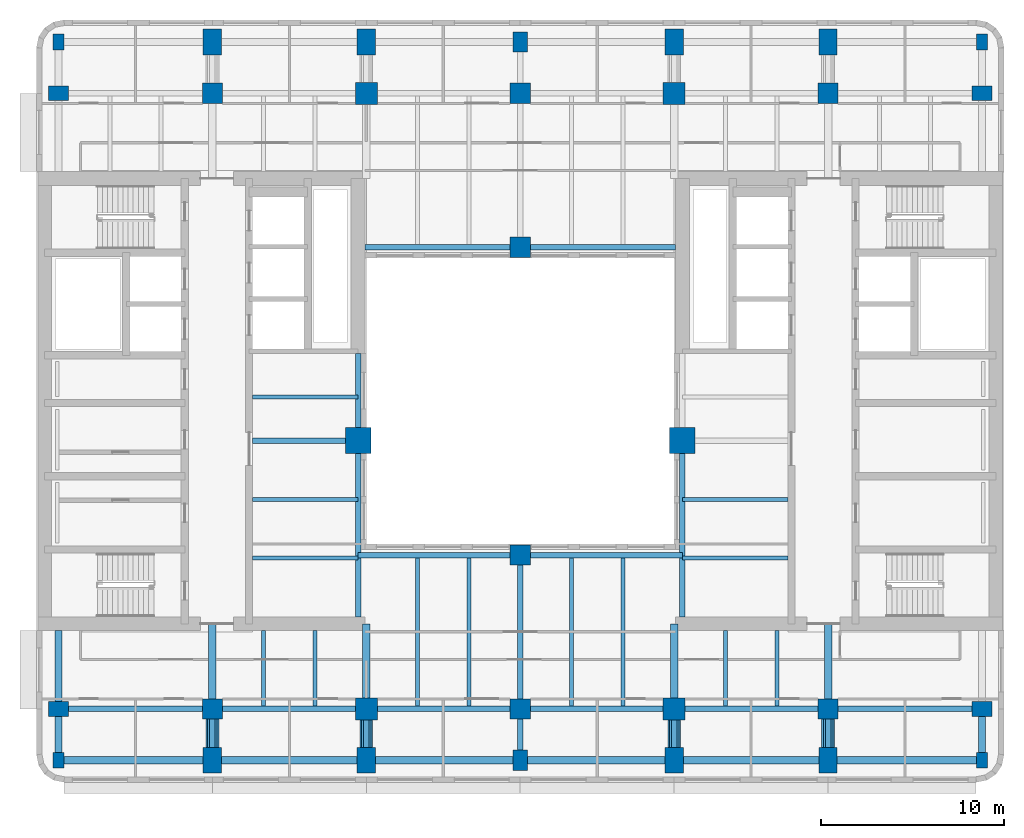
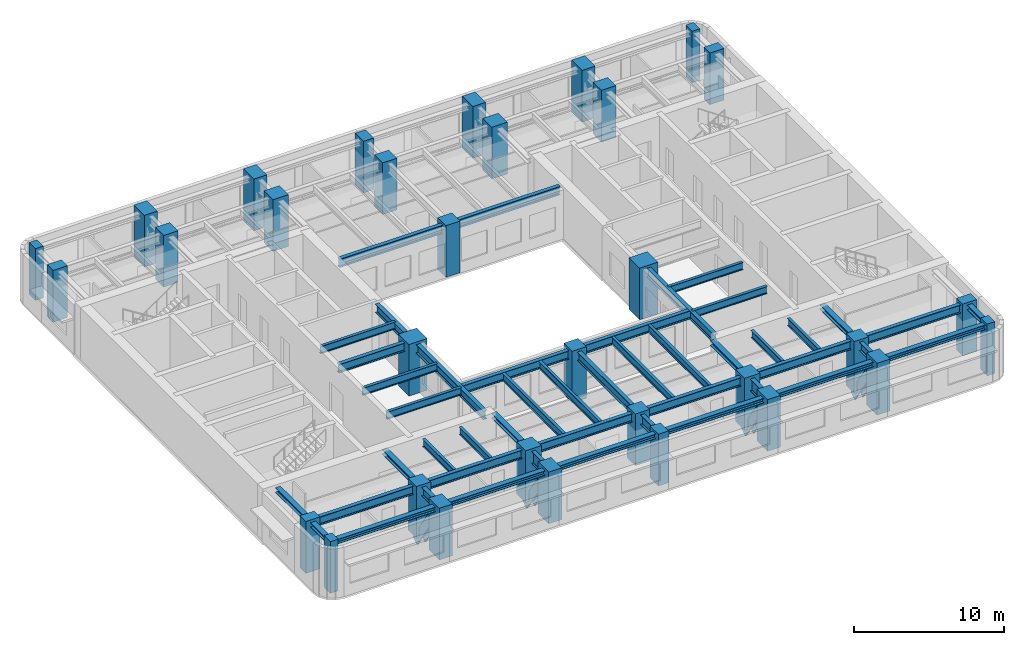
# One storey, part 1 of 11: 46 beams, 32 columns, 4 members.
"""IFC4 building model written with IfcOpenShell, lengths in metres."""

import ifcopenshell
import ifcopenshell.guid

model = None  # the IFC model being written
_history = None  # IfcOwnerHistory: only IFC2X3 demands one
_inside = {}  # id of a spatial element -> (the spatial element, [elements in it])
_under = {}  # id of a project, library or spatial element -> (it, [spatial elements below it])
_declared = {}  # id of a project -> (the project, [libraries it declares])
_typed = {}  # id of a type object -> (the type object, [elements of that type])
_made_of = {}  # id of a material, layer set ... -> (it, [elements and type objects made of it])


def new_model(schema):
    """Start an empty IFC model of exactly this schema.

    Asked for "IFC4X3", IfcOpenShell would pick the latest addendum, in which some entities
    have other attributes; the version numbers below select the first issue.
    IFC2X3 requires an IfcOwnerHistory on every rooted entity: one is made here for all.
    """
    global model, _history
    if schema == "IFC4X3":
        model = ifcopenshell.file(schema_version=(4, 3, 0, 0))
    else:
        model = ifcopenshell.file(schema=schema)
    _inside.clear()
    _under.clear()
    _declared.clear()
    _typed.clear()
    _made_of.clear()
    _history = None
    if model.schema == "IFC2X3":
        org = make("IfcOrganization", Name="unknown")
        user = make(
            "IfcPersonAndOrganization",
            ThePerson=make("IfcPerson", FamilyName="unknown"),
            TheOrganization=org,
        )
        app = make(
            "IfcApplication",
            ApplicationDeveloper=org,
            Version="unknown",
            ApplicationFullName="unknown",
            ApplicationIdentifier="unknown",
        )
        _history = make(
            "IfcOwnerHistory",
            OwningUser=user,
            OwningApplication=app,
            ChangeAction="ADDED",
            CreationDate=0,
        )
    return model


def make(cls, **values):
    """One entity of the class cls with the attributes given. An attribute that is None is left unset."""
    return model.create_entity(
        cls, **{name: value for name, value in values.items() if value is not None}
    )


def rooted(cls, **values):
    """An entity with a GlobalId (a new one), such as an element, a storey or a relation."""
    return make(cls, GlobalId=ifcopenshell.guid.new(), OwnerHistory=_history, **values)


def si_unit(unit_type, name, prefix=None):
    """IfcSIUnit, for example si_unit("LENGTHUNIT", "METRE", prefix="MILLI")."""
    return make("IfcSIUnit", UnitType=unit_type, Prefix=prefix, Name=name)


def assignment(units):
    """IfcUnitAssignment: the units of a project."""
    return None if units is None else make("IfcUnitAssignment", Units=units)


def point(xyz):
    """IfcCartesianPoint."""
    return None if xyz is None else make("IfcCartesianPoint", Coordinates=xyz)


def direction(xyz):
    """IfcDirection."""
    return None if xyz is None else make("IfcDirection", DirectionRatios=xyz)


def frame(location, z_axis=None, x_axis=None):
    """IfcAxis2Placement3D, a coordinate frame: its origin and axes. An axis left out is left unset."""
    return make(
        "IfcAxis2Placement3D",
        Location=point(location),
        Axis=direction(z_axis),
        RefDirection=direction(x_axis),
    )


def frame_2d(location, x_axis=None):
    """IfcAxis2Placement2D, a coordinate frame in the plane: its origin and x axis."""
    return make(
        "IfcAxis2Placement2D", Location=point(location), RefDirection=direction(x_axis)
    )


def origin():
    """The frame at (0, 0, 0) with its axes left unset."""
    return frame((0.0, 0.0, 0.0))


def origin_2d():
    """The frame at (0, 0) in the plane with its x axis left unset."""
    return frame_2d((0.0, 0.0))


def place(relative_to, where):
    """IfcLocalPlacement: puts the frame where relative to a parent placement (None: the world)."""
    return make(
        "IfcLocalPlacement", PlacementRelTo=relative_to, RelativePlacement=where
    )


def context(
    kind, dimensions, precision=None, world=None, true_north=None, identifier=None
):
    """IfcGeometricRepresentationContext, for example the 3D "Model" context."""
    return make(
        "IfcGeometricRepresentationContext",
        ContextIdentifier=identifier,
        ContextType=kind,
        CoordinateSpaceDimension=dimensions,
        Precision=precision,
        WorldCoordinateSystem=world,
        TrueNorth=true_north,
    )


def subcontext(parent, identifier, kind, view, scale=None):
    """IfcGeometricRepresentationSubContext, for example "Body" below "Model"."""
    return make(
        "IfcGeometricRepresentationSubContext",
        ContextIdentifier=identifier,
        ContextType=kind,
        ParentContext=parent,
        TargetScale=scale,
        TargetView=view,
    )


def project(units=None, contexts=None):
    """IfcProject with its units and contexts."""
    return rooted(
        "IfcProject",
        Name="project",
        RepresentationContexts=contexts,
        UnitsInContext=assignment(units),
    )


def spatial(cls, under=None, at=None, **own):
    """A site, building, storey or space (cls), placed at a placement, below another one or the project."""
    s = rooted(cls, ObjectPlacement=at, **own)
    if under is not None:
        _under.setdefault(under.id(), (under, []))[1].append(s)
    return s


def profile(cls, at=None, kind="AREA", **sizes):
    """A parametric profile (cls). Its sizes go by their IFC names, for example OverallWidth=200.0."""
    return make(cls, ProfileType=kind, Position=at, **sizes)


def rectangle(**sizes):
    """IfcRectangleProfileDef."""
    return profile("IfcRectangleProfileDef", **sizes)


def i_section(**sizes):
    """IfcIShapeProfileDef."""
    return profile("IfcIShapeProfileDef", **sizes)


def extrude(swept, where, along, depth):
    """IfcExtrudedAreaSolid: the profile swept, set in the frame where, extruded along a direction by depth."""
    return make(
        "IfcExtrudedAreaSolid",
        SweptArea=swept,
        Position=where,
        ExtrudedDirection=direction(along),
        Depth=depth,
    )


def shape(context_of_items, identifier, shape_type, items):
    """IfcShapeRepresentation: the items that make up one representation, for example the "Body"."""
    return make(
        "IfcShapeRepresentation",
        ContextOfItems=context_of_items,
        RepresentationIdentifier=identifier,
        RepresentationType=shape_type,
        Items=items,
    )


def material(Name=None, Category=None):
    """IfcMaterial."""
    return make("IfcMaterial", Name=Name, Category=Category)


def material_profile(
    of_material, cross_section, Name=None, Category=None, Priority=None
):
    """IfcMaterialProfile: a cross section and its material."""
    return make(
        "IfcMaterialProfile",
        Name=Name,
        Material=of_material,
        Profile=cross_section,
        Priority=Priority,
        Category=Category,
    )


def profile_set(profiles, Name=None, composite=None):
    """IfcMaterialProfileSet."""
    return make(
        "IfcMaterialProfileSet",
        Name=Name,
        MaterialProfiles=profiles,
        CompositeProfile=composite,
    )


def made_of(thing, what):
    """Note that an element or type object is made of a material, layer set ...; save() writes the relation."""
    if what is not None:
        _made_of.setdefault(what.id(), (what, []))[1].append(thing)
    return thing


def type_object(cls, material=None, **own):
    """A type object (cls), such as IfcWallType, which elements share."""
    return made_of(rooted(cls, **own), material)


def element(
    cls,
    number,
    at=None,
    inside=None,
    cuts=None,
    type_object=None,
    material=None,
    context=None,
    identifier="Body",
    shape_type=None,
    held_by="IfcProductDefinitionShape",
    body=None,
    shapes=None,
    **own,
):
    """One element of the class cls, such as IfcWall. Its Tag is "e" and its number.

    at: its placement. inside: the storey or other place that contains it. cuts: it is an
    opening in that element (IfcRelVoidsElement). A single representation is given by context,
    identifier, shape_type and body (its items); several are given by shapes. held_by: the class
    of the entity that holds the representations. save() writes the other relations.
    """
    e = rooted(cls, Tag="e%d" % number, ObjectPlacement=at, **own)
    if body is not None:
        shapes = [shape(context, identifier, shape_type, body)]
    if shapes is not None:
        e.Representation = make(held_by, Representations=shapes)
    if inside is not None:
        _inside.setdefault(inside.id(), (inside, []))[1].append(e)
    if cuts is not None:
        rooted(
            "IfcRelVoidsElement", RelatingBuildingElement=cuts, RelatedOpeningElement=e
        )
    if type_object is not None:
        _typed.setdefault(type_object.id(), (type_object, []))[1].append(e)
    return made_of(e, material)


def aggregate(whole, parts):
    """IfcRelAggregates: a whole, such as a stair, and the parts it consists of."""
    return rooted("IfcRelAggregates", RelatingObject=whole, RelatedObjects=parts)


def save(model, path):
    """Write the relations noted so far, then the file.

    IfcRelAggregates (storeys below a building ...), IfcRelContainedInSpatialStructure (elements
    in a storey), IfcRelDefinesByType, IfcRelAssociatesMaterial and IfcRelDeclares: one each for
    every whole, place, type object, material and project.
    """
    for whole, parts in _under.values():
        aggregate(whole, parts)
    for where, things in _inside.values():
        rooted(
            "IfcRelContainedInSpatialStructure",
            RelatedElements=things,
            RelatingStructure=where,
        )
    for kind, things in _typed.values():
        rooted("IfcRelDefinesByType", RelatedObjects=things, RelatingType=kind)
    for what, things in _made_of.values():
        rooted("IfcRelAssociatesMaterial", RelatedObjects=things, RelatingMaterial=what)
    for by, libraries in _declared.values():
        rooted("IfcRelDeclares", RelatingContext=by, RelatedDefinitions=libraries)
    model.write(path)


model = new_model("IFC4")

# Units and contexts
model_context = context("Model", 3, precision=1e-05, world=origin(), true_north=direction((0.0, 1.0)))
body_context = subcontext(model_context, "Body", "Model", "MODEL_VIEW")
ifc_project = project(units=[si_unit("LENGTHUNIT", "METRE"), si_unit("AREAUNIT", "SQUARE_METRE"), si_unit("VOLUMEUNIT", "CUBIC_METRE"), si_unit("PLANEANGLEUNIT", "RADIAN"), si_unit("MASSUNIT", "GRAM", prefix="KILO")], contexts=[model_context])

# Site, building, storey
site_placement = place(None, origin())
site = spatial("IfcSite", under=ifc_project, at=site_placement, CompositionType="ELEMENT")
building_placement = place(site_placement, origin())
building = spatial("IfcBuilding", under=site, at=building_placement, Name="Claustro Exchange Tower", CompositionType="ELEMENT")
storey_placement = place(building_placement, frame((0.0, 0.0, 240.60009765625)))
storey = spatial("IfcBuildingStorey", under=building, at=storey_placement, Name="L55", CompositionType="ELEMENT", Elevation=240.60009765625)

# Columns
ifc_material_1 = material(Name="Concrete HA-70 (C70/85)", Category="concrete")
ifc_material_profile_1 = material_profile(ifc_material_1, rectangle(XDim=1.39990234375, YDim=1.39990234375, at=origin_2d()), Name="RC 1400x1400")
ifc_profile_set_1 = profile_set([ifc_material_profile_1], Name="Concrete HA-70 (C70/85)")
column_type_1 = type_object("IfcColumnType", Name="C0 RC 1400x1400 HA-70 column", PredefinedType="COLUMN", material=ifc_profile_set_1)
for number, where, z_axis, x_axis, name in (
    (1, (16.35009765625, 23.050048828125, 0.0), (0.0, 0.0, 1.0), (1.0, 0.0, 0.0), "Column C0 2+7950/C+6250 L55"),
    (2, (34.050048828125, 23.050048828125, 0.0), (0.0, 0.0, 1.0), (1.0, 0.0, 0.0), "Column C0 5+450/C+6250 L55"),
):
    element("IfcColumn", number, at=place(storey_placement, frame(where, z_axis=z_axis, x_axis=x_axis)), inside=storey, type_object=column_type_1, Name=name, PredefinedType="COLUMN", context=body_context, shape_type="SweptSolid", body=[
        extrude(rectangle(XDim=1.39990234375, YDim=1.39990234375, at=origin_2d()), origin(), (0.0, 0.0, 1.0), 4.199951171875),
    ])
ifc_material_2 = material(Name="Concrete HA-70 (C70/85)", Category="concrete")
ifc_material_profile_2 = material_profile(ifc_material_2, rectangle(XDim=1.199951171875, YDim=1.199951171875, at=origin_2d()), Name="RC 1200x1200")
ifc_profile_set_2 = profile_set([ifc_material_profile_2], Name="Concrete HA-70 (C70/85)")
column_type_2 = type_object("IfcColumnType", Name="C1 RC 1200x1200 HA-70 column", PredefinedType="COLUMN", material=ifc_profile_set_2)
for number, where, z_axis, x_axis, name in (
    (3, (16.800048828125, 8.39990234375, 0.0), (0.0, 0.0, 1.0), (1.0, 0.0, 0.0), "Column C1 3/B L55"),
    (4, (16.800048828125, 42.0, 0.0), (0.0, 0.0, 1.0), (1.0, 0.0, 0.0), "Column C1 3/F L55"),
    (5, (33.60009765625, 8.39990234375, 0.0), (0.0, 0.0, 1.0), (1.0, 0.0, 0.0), "Column C1 5/B L55"),
    (6, (33.60009765625, 42.0, 0.0), (0.0, 0.0, 1.0), (1.0, 0.0, 0.0), "Column C1 5/F L55"),
):
    element("IfcColumn", number, at=place(storey_placement, frame(where, z_axis=z_axis, x_axis=x_axis)), inside=storey, type_object=column_type_2, Name=name, PredefinedType="COLUMN", context=body_context, shape_type="SweptSolid", body=[
        extrude(rectangle(XDim=1.199951171875, YDim=1.199951171875, at=origin_2d()), origin(), (0.0, 0.0, 1.0), 4.199951171875),
    ])
ifc_material_3 = material(Name="Concrete HA-70 (C70/85)", Category="concrete")
ifc_material_profile_3 = material_profile(ifc_material_3, rectangle(XDim=1.10009765625, YDim=1.10009765625, at=origin_2d()), Name="RC 1100x1100")
ifc_profile_set_3 = profile_set([ifc_material_profile_3], Name="Concrete HA-70 (C70/85)")
column_type_3 = type_object("IfcColumnType", Name="C17 RC 1100x1100 HA-70 column", PredefinedType="COLUMN", material=ifc_profile_set_3)
for number, where, z_axis, x_axis, name in (
    (7, (8.39990234375, 8.39990234375, 0.0), (0.0, 0.0, 1.0), (1.0, 0.0, 0.0), "Column C17 2/B L55"),
    (8, (8.39990234375, 42.0, 0.0), (0.0, 0.0, 1.0), (1.0, 0.0, 0.0), "Column C17 2/F L55"),
    (9, (25.199951171875, 8.39990234375, 0.0), (0.0, 0.0, 1.0), (1.0, 0.0, 0.0), "Column C17 4/B L55"),
    (10, (25.199951171875, 42.0, 0.0), (0.0, 0.0, 1.0), (1.0, 0.0, 0.0), "Column C17 4/F L55"),
    (11, (25.199951171875, 16.800048828125, 0.0), (0.0, 0.0, 1.0), (1.0, 0.0, 0.0), "Column C17 4/C L55"),
    (12, (25.199951171875, 33.60009765625, 0.0), (0.0, 0.0, 1.0), (1.0, 0.0, 0.0), "Column C17 4/E L55"),
    (13, (42.0, 8.39990234375, 0.0), (0.0, 0.0, 1.0), (1.0, 0.0, 0.0), "Column C17 6/B L55"),
    (14, (42.0, 42.0, 0.0), (0.0, 0.0, 1.0), (1.0, 0.0, 0.0), "Column C17 6/F L55"),
):
    element("IfcColumn", number, at=place(storey_placement, frame(where, z_axis=z_axis, x_axis=x_axis)), inside=storey, type_object=column_type_3, Name=name, PredefinedType="COLUMN", context=body_context, shape_type="SweptSolid", body=[
        extrude(rectangle(XDim=1.10009765625, YDim=1.10009765625, at=origin_2d()), origin(), (0.0, 0.0, 1.0), 4.199951171875),
    ])
ifc_material_4 = material(Name="Concrete HA-70 (C70/85)", Category="concrete")
ifc_material_profile_4 = material_profile(ifc_material_4, rectangle(XDim=1.0, YDim=1.39990234375, at=origin_2d()), Name="RC 1000x1400")
ifc_profile_set_4 = profile_set([ifc_material_profile_4], Name="Concrete HA-70 (C70/85)")
column_type_4 = type_object("IfcColumnType", Name="C22 RC 1000x1400 HA-70 perimeter column", PredefinedType="COLUMN", material=ifc_profile_set_4)
for number, where, z_axis, x_axis, name in (
    (15, (8.39990234375, 5.60009765625, 0.0), (0.0, 0.0, 1.0), (1.0, 0.0, 0.0), "Column C22 2/A+5600 L55"),
    (16, (8.39990234375, 44.800048828125, 0.0), (0.0, 0.0, 1.0), (1.0, 0.0, 0.0), "Column C22 2/F+2800 L55"),
    (17, (16.800048828125, 5.60009765625, 0.0), (0.0, 0.0, 1.0), (1.0, 0.0, 0.0), "Column C22 3/A+5600 L55"),
    (18, (16.800048828125, 44.800048828125, 0.0), (0.0, 0.0, 1.0), (1.0, 0.0, 0.0), "Column C22 3/F+2800 L55"),
    (19, (33.60009765625, 5.60009765625, 0.0), (0.0, 0.0, 1.0), (1.0, 0.0, 0.0), "Column C22 5/A+5600 L55"),
    (20, (33.60009765625, 44.800048828125, 0.0), (0.0, 0.0, 1.0), (1.0, 0.0, 0.0), "Column C22 5/F+2800 L55"),
    (21, (42.0, 5.60009765625, 0.0), (0.0, 0.0, 1.0), (1.0, 0.0, 0.0), "Column C22 6/A+5600 L55"),
    (22, (42.0, 44.800048828125, 0.0), (0.0, 0.0, 1.0), (1.0, 0.0, 0.0), "Column C22 6/F+2800 L55"),
):
    element("IfcColumn", number, at=place(storey_placement, frame(where, z_axis=z_axis, x_axis=x_axis)), inside=storey, type_object=column_type_4, Name=name, PredefinedType="COLUMN", context=body_context, shape_type="SweptSolid", body=[
        extrude(rectangle(XDim=1.0, YDim=1.39990234375, at=origin_2d()), origin(), (0.0, 0.0, 1.0), 4.199951171875),
    ])
ifc_material_5 = material(Name="Concrete HA-50 (C50/60)", Category="concrete")
ifc_material_profile_5 = material_profile(ifc_material_5, rectangle(XDim=0.800048828125, YDim=1.10009765625, at=origin_2d()), Name="RC 800x1100")
ifc_profile_set_5 = profile_set([ifc_material_profile_5], Name="Concrete HA-50 (C50/60)")
column_type_5 = type_object("IfcColumnType", Name="C23 RC 800x1100 HA-50 perimeter column", PredefinedType="COLUMN", material=ifc_profile_set_5)
for number, where, z_axis, x_axis, name in (
    (23, (0.0, 8.39990234375, 0.0), (0.0, 0.0, 1.0), (0.0, 1.0, 0.0), "Column C23 1/B L55"),
    (24, (0.0, 42.0, 0.0), (0.0, 0.0, 1.0), (0.0, 1.0, 0.0), "Column C23 1/F L55"),
    (25, (25.199951171875, 5.60009765625, 0.0), (0.0, 0.0, 1.0), (1.0, 0.0, 0.0), "Column C23 4/A+5600 L55"),
    (26, (25.199951171875, 44.800048828125, 0.0), (0.0, 0.0, 1.0), (1.0, 0.0, 0.0), "Column C23 4/F+2800 L55"),
    (27, (50.39990234375, 8.39990234375, 0.0), (0.0, 0.0, 1.0), (0.0, 1.0, 0.0), "Column C23 7/B L55"),
    (28, (50.39990234375, 42.0, 0.0), (0.0, 0.0, 1.0), (0.0, 1.0, 0.0), "Column C23 7/F L55"),
):
    element("IfcColumn", number, at=place(storey_placement, frame(where, z_axis=z_axis, x_axis=x_axis)), inside=storey, type_object=column_type_5, Name=name, PredefinedType="COLUMN", context=body_context, shape_type="SweptSolid", body=[
        extrude(rectangle(XDim=0.800048828125, YDim=1.10009765625, at=origin_2d()), origin(), (0.0, 0.0, 1.0), 4.199951171875),
    ])
ifc_material_6 = material(Name="Concrete HA-50 (C50/60)", Category="concrete")
ifc_material_profile_6 = material_profile(ifc_material_6, rectangle(XDim=0.60009765625, YDim=0.85009765625, at=origin_2d()), Name="RC 600x850")
ifc_profile_set_6 = profile_set([ifc_material_profile_6], Name="Concrete HA-50 (C50/60)")
column_type_6 = type_object("IfcColumnType", Name="C25 RC 600x850 HA-50 corner column", PredefinedType="COLUMN", material=ifc_profile_set_6)
for number, where, z_axis, x_axis, name in (
    (29, (0.0, 5.60009765625, 0.0), (0.0, 0.0, 1.0), (1.0, 0.0, 0.0), "Column C25 1/A+5600 L55"),
    (30, (0.0, 44.800048828125, 0.0), (0.0, 0.0, 1.0), (1.0, 0.0, 0.0), "Column C25 1/F+2800 L55"),
    (31, (50.39990234375, 5.60009765625, 0.0), (0.0, 0.0, 1.0), (1.0, 0.0, 0.0), "Column C25 7/A+5600 L55"),
    (32, (50.39990234375, 44.800048828125, 0.0), (0.0, 0.0, 1.0), (1.0, 0.0, 0.0), "Column C25 7/F+2800 L55"),
):
    element("IfcColumn", number, at=place(storey_placement, frame(where, z_axis=z_axis, x_axis=x_axis)), inside=storey, type_object=column_type_6, Name=name, PredefinedType="COLUMN", context=body_context, shape_type="SweptSolid", body=[
        extrude(rectangle(XDim=0.60009765625, YDim=0.85009765625, at=origin_2d()), origin(), (0.0, 0.0, 1.0), 4.199951171875),
    ])

# Beams
ifc_material_7 = material(Name="Steel S355", Category="steel")
ifc_material_profile_7 = material_profile(ifc_material_7, i_section(OverallWidth=0.300048828125, OverallDepth=0.68994140625, WebThickness=0.014404296875, FlangeThickness=0.027099609375, FilletRadius=0.027099609375, at=origin_2d()), Name="HE 700 A")
ifc_profile_set_7 = profile_set([ifc_material_profile_7], Name="Steel S355")
beam_type_1 = type_object("IfcBeamType", Name="B13 HE 700 A light well edge girder", PredefinedType="BEAM", material=ifc_profile_set_7)
beam_1_placement = place(storey_placement, frame((16.35009765625, 16.800048828125, 3.65478515625), z_axis=(1.0, 0.0, 0.0), x_axis=(0.0, 1.0, 0.0)))
element("IfcBeam", 33, at=beam_1_placement, inside=storey, type_object=beam_type_1, Name="Beam B13 L56", PredefinedType="BEAM", context=body_context, shape_type="SweptSolid", body=[
    extrude(i_section(OverallWidth=0.300048828125, OverallDepth=0.68994140625, WebThickness=0.014404296875, FlangeThickness=0.027099609375, FilletRadius=0.027099609375, at=origin_2d()), origin(), (0.0, 0.0, 1.0), 8.849853515625),
])
beam_2_placement = place(storey_placement, frame((25.199951171875, 16.800048828125, 3.65478515625), z_axis=(1.0, 0.0, 0.0), x_axis=(0.0, 1.0, 0.0)))
element("IfcBeam", 34, at=beam_2_placement, inside=storey, type_object=beam_type_1, Name="Beam B13 L56", PredefinedType="BEAM", context=body_context, shape_type="SweptSolid", body=[
    extrude(i_section(OverallWidth=0.300048828125, OverallDepth=0.68994140625, WebThickness=0.014404296875, FlangeThickness=0.027099609375, FilletRadius=0.027099609375, at=origin_2d()), origin(), (0.0, 0.0, 1.0), 8.85009765625),
])
beam_3_placement = place(storey_placement, frame((16.72509765625, 33.60009765625, 3.65478515625), z_axis=(1.0, 0.0, 0.0), x_axis=(0.0, 1.0, 0.0)))
element("IfcBeam", 35, at=beam_3_placement, inside=storey, type_object=beam_type_1, Name="Beam B13 L56", PredefinedType="BEAM", context=body_context, shape_type="SweptSolid", body=[
    extrude(i_section(OverallWidth=0.300048828125, OverallDepth=0.68994140625, WebThickness=0.014404296875, FlangeThickness=0.027099609375, FilletRadius=0.027099609375, at=origin_2d()), origin(), (0.0, 0.0, 1.0), 8.474853515625),
])
beam_4_placement = place(storey_placement, frame((25.199951171875, 33.60009765625, 3.65478515625), z_axis=(1.0, 0.0, 0.0), x_axis=(0.0, 1.0, 0.0)))
element("IfcBeam", 36, at=beam_4_placement, inside=storey, type_object=beam_type_1, Name="Beam B13 L56", PredefinedType="BEAM", context=body_context, shape_type="SweptSolid", body=[
    extrude(i_section(OverallWidth=0.300048828125, OverallDepth=0.68994140625, WebThickness=0.014404296875, FlangeThickness=0.027099609375, FilletRadius=0.027099609375, at=origin_2d()), origin(), (0.0, 0.0, 1.0), 8.47509765625),
])
ifc_material_8 = material(Name="Steel S355", Category="steel")
ifc_material_profile_8 = material_profile(ifc_material_8, i_section(OverallWidth=0.302001953125, OverallDepth=1.008056640625, WebThickness=0.02099609375, FlangeThickness=0.0400390625, FilletRadius=0.030029296875, at=origin_2d()), Name="HE 1000 M")
ifc_profile_set_8 = profile_set([ifc_material_profile_8], Name="Steel S355")
beam_type_2 = type_object("IfcBeamType", Name="B27 HE 1000 M plant floor girder by the setback", PredefinedType="BEAM", material=ifc_profile_set_8)
for number, where, z_axis, x_axis, name in (
    (37, (16.800048828125, 5.60009765625, 3.495849609375), (0.0, 1.0, 0.0), (-1.0, 0.0, 0.0), "Beam B27 L56"),
    (38, (33.60009765625, 5.60009765625, 3.495849609375), (0.0, 1.0, 0.0), (-1.0, 0.0, 0.0), "Beam B27 L56"),
):
    element("IfcBeam", number, at=place(storey_placement, frame(where, z_axis=z_axis, x_axis=x_axis)), inside=storey, type_object=beam_type_2, Name=name, PredefinedType="BEAM", context=body_context, shape_type="SweptSolid", body=[
        extrude(i_section(OverallWidth=0.302001953125, OverallDepth=1.008056640625, WebThickness=0.02099609375, FlangeThickness=0.0400390625, FilletRadius=0.030029296875, at=origin_2d()), origin(), (0.0, 0.0, 1.0), 2.7998046875),
    ])
ifc_material_9 = material(Name="Steel S355", Category="steel")
ifc_material_profile_9 = material_profile(ifc_material_9, i_section(OverallWidth=0.300048828125, OverallDepth=0.699951171875, WebThickness=0.01708984375, FlangeThickness=0.031982421875, FilletRadius=0.027099609375, at=origin_2d()), Name="HE 700 B")
ifc_profile_set_9 = profile_set([ifc_material_profile_9], Name="Steel S355")
beam_type_3 = type_object("IfcBeamType", Name="B4 HE 700 B floor girder", PredefinedType="BEAM", material=ifc_profile_set_9)
beam_5_placement = place(storey_placement, frame((8.39990234375, 5.60009765625, 3.64990234375), z_axis=(0.0, 1.0, 0.0), x_axis=(-1.0, 0.0, 0.0)))
element("IfcBeam", 39, at=beam_5_placement, inside=storey, type_object=beam_type_3, Name="Beam B4 L56", PredefinedType="BEAM", context=body_context, shape_type="SweptSolid", body=[
    extrude(i_section(OverallWidth=0.300048828125, OverallDepth=0.699951171875, WebThickness=0.01708984375, FlangeThickness=0.031982421875, FilletRadius=0.027099609375, at=origin_2d()), origin(), (0.0, 0.0, 1.0), 2.7998046875),
])
beam_6_placement = place(storey_placement, frame((25.199951171875, 8.39990234375, 3.64990234375), z_axis=(0.0, 1.0, 0.0), x_axis=(-1.0, 0.0, 0.0)))
element("IfcBeam", 40, at=beam_6_placement, inside=storey, type_object=beam_type_3, Name="Beam B4 L56", PredefinedType="BEAM", context=body_context, shape_type="SweptSolid", body=[
    extrude(i_section(OverallWidth=0.300048828125, OverallDepth=0.699951171875, WebThickness=0.01708984375, FlangeThickness=0.031982421875, FilletRadius=0.027099609375, at=origin_2d()), origin(), (0.0, 0.0, 1.0), 8.400146484375),
])
beam_7_placement = place(storey_placement, frame((42.0, 5.60009765625, 3.64990234375), z_axis=(0.0, 1.0, 0.0), x_axis=(-1.0, 0.0, 0.0)))
element("IfcBeam", 41, at=beam_7_placement, inside=storey, type_object=beam_type_3, Name="Beam B4 L56", PredefinedType="BEAM", context=body_context, shape_type="SweptSolid", body=[
    extrude(i_section(OverallWidth=0.300048828125, OverallDepth=0.699951171875, WebThickness=0.01708984375, FlangeThickness=0.031982421875, FilletRadius=0.027099609375, at=origin_2d()), origin(), (0.0, 0.0, 1.0), 2.7998046875),
])
beam_8_placement = place(storey_placement, frame((0.0, 8.39990234375, 3.64990234375), z_axis=(1.0, 0.0, 0.0), x_axis=(0.0, 1.0, 0.0)))
element("IfcBeam", 42, at=beam_8_placement, inside=storey, type_object=beam_type_3, Name="Beam B4 L56", PredefinedType="BEAM", context=body_context, shape_type="SweptSolid", body=[
    extrude(i_section(OverallWidth=0.300048828125, OverallDepth=0.699951171875, WebThickness=0.01708984375, FlangeThickness=0.031982421875, FilletRadius=0.027099609375, at=origin_2d()), origin(), (0.0, 0.0, 1.0), 8.39990234375),
])
beam_9_placement = place(storey_placement, frame((8.39990234375, 8.39990234375, 3.64990234375), z_axis=(1.0, 0.0, 0.0), x_axis=(0.0, 1.0, 0.0)))
element("IfcBeam", 43, at=beam_9_placement, inside=storey, type_object=beam_type_3, Name="Beam B4 L56", PredefinedType="BEAM", context=body_context, shape_type="SweptSolid", body=[
    extrude(i_section(OverallWidth=0.300048828125, OverallDepth=0.699951171875, WebThickness=0.01708984375, FlangeThickness=0.031982421875, FilletRadius=0.027099609375, at=origin_2d()), origin(), (0.0, 0.0, 1.0), 8.400146484375),
])
beam_10_placement = place(storey_placement, frame((16.800048828125, 8.39990234375, 3.64990234375), z_axis=(1.0, 0.0, 0.0), x_axis=(0.0, 1.0, 0.0)))
element("IfcBeam", 44, at=beam_10_placement, inside=storey, type_object=beam_type_3, Name="Beam B4 L56", PredefinedType="BEAM", context=body_context, shape_type="SweptSolid", body=[
    extrude(i_section(OverallWidth=0.300048828125, OverallDepth=0.699951171875, WebThickness=0.01708984375, FlangeThickness=0.031982421875, FilletRadius=0.027099609375, at=origin_2d()), origin(), (0.0, 0.0, 1.0), 8.39990234375),
])
beam_11_placement = place(storey_placement, frame((25.199951171875, 8.39990234375, 3.64990234375), z_axis=(1.0, 0.0, 0.0), x_axis=(0.0, 1.0, 0.0)))
element("IfcBeam", 45, at=beam_11_placement, inside=storey, type_object=beam_type_3, Name="Beam B4 L56", PredefinedType="BEAM", context=body_context, shape_type="SweptSolid", body=[
    extrude(i_section(OverallWidth=0.300048828125, OverallDepth=0.699951171875, WebThickness=0.01708984375, FlangeThickness=0.031982421875, FilletRadius=0.027099609375, at=origin_2d()), origin(), (0.0, 0.0, 1.0), 8.400146484375),
])
for number, where, z_axis, x_axis, name in (
    (46, (33.60009765625, 8.39990234375, 3.64990234375), (1.0, 0.0, 0.0), (0.0, 1.0, 0.0), "Beam B4 L56"),
    (47, (42.0, 8.39990234375, 3.64990234375), (1.0, 0.0, 0.0), (0.0, 1.0, 0.0), "Beam B4 L56"),
):
    element("IfcBeam", number, at=place(storey_placement, frame(where, z_axis=z_axis, x_axis=x_axis)), inside=storey, type_object=beam_type_3, Name=name, PredefinedType="BEAM", context=body_context, shape_type="SweptSolid", body=[
        extrude(i_section(OverallWidth=0.300048828125, OverallDepth=0.699951171875, WebThickness=0.01708984375, FlangeThickness=0.031982421875, FilletRadius=0.027099609375, at=origin_2d()), origin(), (0.0, 0.0, 1.0), 8.39990234375),
    ])
beam_12_placement = place(storey_placement, frame((10.60009765625, 23.050048828125, 3.64990234375), z_axis=(1.0, 0.0, 0.0), x_axis=(0.0, 1.0, 0.0)))
element("IfcBeam", 48, at=beam_12_placement, inside=storey, type_object=beam_type_3, Name="Beam B4 core step framing L56", PredefinedType="BEAM", context=body_context, shape_type="SweptSolid", body=[
    extrude(i_section(OverallWidth=0.300048828125, OverallDepth=0.699951171875, WebThickness=0.01708984375, FlangeThickness=0.031982421875, FilletRadius=0.027099609375, at=origin_2d()), origin(), (0.0, 0.0, 1.0), 5.75),
])
beam_13_placement = place(storey_placement, frame((16.35009765625, 13.425048828125, 3.64990234375), z_axis=(0.0, 1.0, 0.0), x_axis=(-1.0, 0.0, 0.0)))
element("IfcBeam", 49, at=beam_13_placement, inside=storey, type_object=beam_type_3, Name="Beam B4 core step framing L56", PredefinedType="BEAM", context=body_context, shape_type="SweptSolid", body=[
    extrude(i_section(OverallWidth=0.300048828125, OverallDepth=0.699951171875, WebThickness=0.01708984375, FlangeThickness=0.031982421875, FilletRadius=0.027099609375, at=origin_2d()), origin(), (0.0, 0.0, 1.0), 9.625),
])
beam_14_placement = place(storey_placement, frame((16.35009765625, 23.050048828125, 3.64990234375), z_axis=(0.0, 1.0, 0.0), x_axis=(-1.0, 0.0, 0.0)))
element("IfcBeam", 50, at=beam_14_placement, inside=storey, type_object=beam_type_3, Name="Beam B4 core step framing L56", PredefinedType="BEAM", context=body_context, shape_type="SweptSolid", body=[
    extrude(i_section(OverallWidth=0.300048828125, OverallDepth=0.699951171875, WebThickness=0.01708984375, FlangeThickness=0.031982421875, FilletRadius=0.027099609375, at=origin_2d()), origin(), (0.0, 0.0, 1.0), 4.75),
])
beam_15_placement = place(storey_placement, frame((34.050048828125, 13.425048828125, 3.64990234375), z_axis=(0.0, 1.0, 0.0), x_axis=(-1.0, 0.0, 0.0)))
element("IfcBeam", 51, at=beam_15_placement, inside=storey, type_object=beam_type_3, Name="Beam B4 core step framing L56", PredefinedType="BEAM", context=body_context, shape_type="SweptSolid", body=[
    extrude(i_section(OverallWidth=0.300048828125, OverallDepth=0.699951171875, WebThickness=0.01708984375, FlangeThickness=0.031982421875, FilletRadius=0.027099609375, at=origin_2d()), origin(), (0.0, 0.0, 1.0), 9.625),
])
ifc_material_10 = material(Name="Steel S355", Category="steel")
ifc_material_profile_10 = material_profile(ifc_material_10, i_section(OverallWidth=0.300048828125, OverallDepth=0.800048828125, WebThickness=0.017578125, FlangeThickness=0.032958984375, FilletRadius=0.030029296875, at=origin_2d()), Name="HE 800 B")
ifc_profile_set_10 = profile_set([ifc_material_profile_10], Name="Steel S355")
beam_type_4 = type_object("IfcBeamType", Name="B4A HE 800 B floor girder", PredefinedType="BEAM", material=ifc_profile_set_10)
beam_16_placement = place(storey_placement, frame((25.199951171875, 5.60009765625, 3.599853515625), z_axis=(0.0, 1.0, 0.0), x_axis=(-1.0, 0.0, 0.0)))
element("IfcBeam", 52, at=beam_16_placement, inside=storey, type_object=beam_type_4, Name="Beam B4A L56", PredefinedType="BEAM", context=body_context, shape_type="SweptSolid", body=[
    extrude(i_section(OverallWidth=0.300048828125, OverallDepth=0.800048828125, WebThickness=0.017578125, FlangeThickness=0.032958984375, FilletRadius=0.030029296875, at=origin_2d()), origin(), (0.0, 0.0, 1.0), 2.7998046875),
])
ifc_material_11 = material(Name="Steel S355", Category="steel")
ifc_material_profile_11 = material_profile(ifc_material_11, i_section(OverallWidth=0.219970703125, OverallDepth=0.60009765625, WebThickness=0.011962890625, FlangeThickness=0.01904296875, FilletRadius=0.02392578125, at=origin_2d()), Name="IPE 600")
ifc_profile_set_11 = profile_set([ifc_material_profile_11], Name="Steel S355")
beam_type_5 = type_object("IfcBeamType", Name="B5 IPE 600 secondary beam", PredefinedType="BEAM", material=ifc_profile_set_11)
for number, where, z_axis, x_axis, name in (
    (53, (11.199951171875, 8.550048828125, 3.699951171875), (0.0, 1.0, 0.0), (-1.0, 0.0, 0.0), "Beam B5 L56"),
    (54, (14.0, 8.550048828125, 3.699951171875), (0.0, 1.0, 0.0), (-1.0, 0.0, 0.0), "Beam B5 L56"),
):
    element("IfcBeam", number, at=place(storey_placement, frame(where, z_axis=z_axis, x_axis=x_axis)), inside=storey, type_object=beam_type_5, Name=name, PredefinedType="BEAM", context=body_context, shape_type="SweptSolid", body=[
        extrude(i_section(OverallWidth=0.219970703125, OverallDepth=0.60009765625, WebThickness=0.011962890625, FlangeThickness=0.01904296875, FilletRadius=0.02392578125, at=origin_2d()), origin(), (0.0, 0.0, 1.0), 4.125),
    ])
for number, where, z_axis, x_axis, name in (
    (55, (19.60009765625, 8.550048828125, 3.699951171875), (0.0, 1.0, 0.0), (-1.0, 0.0, 0.0), "Beam B5 L56"),
    (56, (22.39990234375, 8.550048828125, 3.699951171875), (0.0, 1.0, 0.0), (-1.0, 0.0, 0.0), "Beam B5 L56"),
    (57, (28.0, 8.550048828125, 3.699951171875), (0.0, 1.0, 0.0), (-1.0, 0.0, 0.0), "Beam B5 L56"),
    (58, (30.800048828125, 8.550048828125, 3.699951171875), (0.0, 1.0, 0.0), (-1.0, 0.0, 0.0), "Beam B5 L56"),
):
    element("IfcBeam", number, at=place(storey_placement, frame(where, z_axis=z_axis, x_axis=x_axis)), inside=storey, type_object=beam_type_5, Name=name, PredefinedType="BEAM", context=body_context, shape_type="SweptSolid", body=[
        extrude(i_section(OverallWidth=0.219970703125, OverallDepth=0.60009765625, WebThickness=0.011962890625, FlangeThickness=0.01904296875, FilletRadius=0.02392578125, at=origin_2d()), origin(), (0.0, 0.0, 1.0), 8.099853515625),
    ])
for number, where, z_axis, x_axis, name in (
    (59, (36.39990234375, 8.550048828125, 3.699951171875), (0.0, 1.0, 0.0), (-1.0, 0.0, 0.0), "Beam B5 L56"),
    (60, (39.199951171875, 8.550048828125, 3.699951171875), (0.0, 1.0, 0.0), (-1.0, 0.0, 0.0), "Beam B5 L56"),
):
    element("IfcBeam", number, at=place(storey_placement, frame(where, z_axis=z_axis, x_axis=x_axis)), inside=storey, type_object=beam_type_5, Name=name, PredefinedType="BEAM", context=body_context, shape_type="SweptSolid", body=[
        extrude(i_section(OverallWidth=0.219970703125, OverallDepth=0.60009765625, WebThickness=0.011962890625, FlangeThickness=0.01904296875, FilletRadius=0.02392578125, at=origin_2d()), origin(), (0.0, 0.0, 1.0), 4.125),
    ])
for number, where, z_axis, x_axis, name in (
    (61, (10.60009765625, 16.63330078125, 3.699951171875), (1.0, 0.0, 0.0), (0.0, 1.0, 0.0), "Beam B5 core step framing L56"),
    (62, (10.60009765625, 19.841796875, 3.699951171875), (1.0, 0.0, 0.0), (0.0, 1.0, 0.0), "Beam B5 core step framing L56"),
    (63, (10.60009765625, 25.425048828125, 3.699951171875), (1.0, 0.0, 0.0), (0.0, 1.0, 0.0), "Beam B5 core step framing L56"),
    (64, (34.050048828125, 16.63330078125, 3.699951171875), (1.0, 0.0, 0.0), (0.0, 1.0, 0.0), "Beam B5 core step framing L56"),
    (65, (34.050048828125, 19.841796875, 3.699951171875), (1.0, 0.0, 0.0), (0.0, 1.0, 0.0), "Beam B5 core step framing L56"),
):
    element("IfcBeam", number, at=place(storey_placement, frame(where, z_axis=z_axis, x_axis=x_axis)), inside=storey, type_object=beam_type_5, Name=name, PredefinedType="BEAM", context=body_context, shape_type="SweptSolid", body=[
        extrude(i_section(OverallWidth=0.219970703125, OverallDepth=0.60009765625, WebThickness=0.011962890625, FlangeThickness=0.01904296875, FilletRadius=0.02392578125, at=origin_2d()), origin(), (0.0, 0.0, 1.0), 5.75),
    ])
ifc_material_12 = material(Name="Steel S460", Category="steel")
ifc_material_profile_12 = material_profile(ifc_material_12, i_section(OverallWidth=0.39501953125, OverallDepth=0.3798828125, WebThickness=0.018798828125, FlangeThickness=0.0302734375, FilletRadius=0.014892578125, at=origin_2d()), Name="HD 400x237")
ifc_profile_set_12 = profile_set([ifc_material_profile_12], Name="Steel S460")
beam_type_6 = type_object("IfcBeamType", Name="BT5 HD 400x237 belt truss chord", PredefinedType="BEAM", material=ifc_profile_set_12)
beam_17_placement = place(storey_placement, frame((0.0, 5.60009765625, 3.809814453125), z_axis=(0.0, 1.0, 0.0), x_axis=(-1.0, 0.0, 0.0)))
element("IfcBeam", 66, at=beam_17_placement, inside=storey, type_object=beam_type_6, Name="Beam BT5 L56", PredefinedType="BEAM", context=body_context, shape_type="SweptSolid", body=[
    extrude(i_section(OverallWidth=0.39501953125, OverallDepth=0.3798828125, WebThickness=0.018798828125, FlangeThickness=0.0302734375, FilletRadius=0.014892578125, at=origin_2d()), origin(), (0.0, 0.0, 1.0), 2.7998046875),
])
beam_18_placement = place(storey_placement, frame((0.0, 8.39990234375, 3.809814453125), z_axis=(0.0, 1.0, 0.0), x_axis=(-1.0, 0.0, 0.0)))
element("IfcBeam", 67, at=beam_18_placement, inside=storey, type_object=beam_type_6, Name="Beam BT5 L56", PredefinedType="BEAM", context=body_context, shape_type="SweptSolid", body=[
    extrude(i_section(OverallWidth=0.39501953125, OverallDepth=0.3798828125, WebThickness=0.018798828125, FlangeThickness=0.0302734375, FilletRadius=0.014892578125, at=origin_2d()), origin(), (0.0, 0.0, 1.0), 4.275146484375),
])
beam_19_placement = place(storey_placement, frame((50.39990234375, 5.60009765625, 3.809814453125), z_axis=(0.0, 1.0, 0.0), x_axis=(-1.0, 0.0, 0.0)))
element("IfcBeam", 68, at=beam_19_placement, inside=storey, type_object=beam_type_6, Name="Beam BT5 L56", PredefinedType="BEAM", context=body_context, shape_type="SweptSolid", body=[
    extrude(i_section(OverallWidth=0.39501953125, OverallDepth=0.3798828125, WebThickness=0.018798828125, FlangeThickness=0.0302734375, FilletRadius=0.014892578125, at=origin_2d()), origin(), (0.0, 0.0, 1.0), 2.7998046875),
])
beam_20_placement = place(storey_placement, frame((0.0, 5.60009765625, 3.809814453125), z_axis=(1.0, 0.0, 0.0), x_axis=(0.0, 1.0, 0.0)))
element("IfcBeam", 69, at=beam_20_placement, inside=storey, type_object=beam_type_6, Name="Beam BT5 L56", PredefinedType="BEAM", context=body_context, shape_type="SweptSolid", body=[
    extrude(i_section(OverallWidth=0.39501953125, OverallDepth=0.3798828125, WebThickness=0.018798828125, FlangeThickness=0.0302734375, FilletRadius=0.014892578125, at=origin_2d()), origin(), (0.0, 0.0, 1.0), 8.39990234375),
])
beam_21_placement = place(storey_placement, frame((8.39990234375, 5.60009765625, 3.809814453125), z_axis=(1.0, 0.0, 0.0), x_axis=(0.0, 1.0, 0.0)))
element("IfcBeam", 70, at=beam_21_placement, inside=storey, type_object=beam_type_6, Name="Beam BT5 L56", PredefinedType="BEAM", context=body_context, shape_type="SweptSolid", body=[
    extrude(i_section(OverallWidth=0.39501953125, OverallDepth=0.3798828125, WebThickness=0.018798828125, FlangeThickness=0.0302734375, FilletRadius=0.014892578125, at=origin_2d()), origin(), (0.0, 0.0, 1.0), 8.400146484375),
])
beam_22_placement = place(storey_placement, frame((16.800048828125, 5.60009765625, 3.809814453125), z_axis=(1.0, 0.0, 0.0), x_axis=(0.0, 1.0, 0.0)))
element("IfcBeam", 71, at=beam_22_placement, inside=storey, type_object=beam_type_6, Name="Beam BT5 L56", PredefinedType="BEAM", context=body_context, shape_type="SweptSolid", body=[
    extrude(i_section(OverallWidth=0.39501953125, OverallDepth=0.3798828125, WebThickness=0.018798828125, FlangeThickness=0.0302734375, FilletRadius=0.014892578125, at=origin_2d()), origin(), (0.0, 0.0, 1.0), 8.39990234375),
])
beam_23_placement = place(storey_placement, frame((25.199951171875, 5.60009765625, 3.809814453125), z_axis=(1.0, 0.0, 0.0), x_axis=(0.0, 1.0, 0.0)))
element("IfcBeam", 72, at=beam_23_placement, inside=storey, type_object=beam_type_6, Name="Beam BT5 L56", PredefinedType="BEAM", context=body_context, shape_type="SweptSolid", body=[
    extrude(i_section(OverallWidth=0.39501953125, OverallDepth=0.3798828125, WebThickness=0.018798828125, FlangeThickness=0.0302734375, FilletRadius=0.014892578125, at=origin_2d()), origin(), (0.0, 0.0, 1.0), 8.400146484375),
])
for number, where, z_axis, x_axis, name in (
    (73, (33.60009765625, 5.60009765625, 3.809814453125), (1.0, 0.0, 0.0), (0.0, 1.0, 0.0), "Beam BT5 L56"),
    (74, (42.0, 5.60009765625, 3.809814453125), (1.0, 0.0, 0.0), (0.0, 1.0, 0.0), "Beam BT5 L56"),
):
    element("IfcBeam", number, at=place(storey_placement, frame(where, z_axis=z_axis, x_axis=x_axis)), inside=storey, type_object=beam_type_6, Name=name, PredefinedType="BEAM", context=body_context, shape_type="SweptSolid", body=[
        extrude(i_section(OverallWidth=0.39501953125, OverallDepth=0.3798828125, WebThickness=0.018798828125, FlangeThickness=0.0302734375, FilletRadius=0.014892578125, at=origin_2d()), origin(), (0.0, 0.0, 1.0), 8.39990234375),
    ])
ifc_material_13 = material(Name="Steel S460", Category="steel")
ifc_material_profile_13 = material_profile(ifc_material_13, i_section(OverallWidth=0.404052734375, OverallDepth=0.406982421875, WebThickness=0.027099609375, FlangeThickness=0.043701171875, FilletRadius=0.014892578125, at=origin_2d()), Name="HD 400x347")
ifc_profile_set_13 = profile_set([ifc_material_profile_13], Name="Steel S460")
beam_type_7 = type_object("IfcBeamType", Name="OT5 HD 400x347 OUTRIGGER truss chord", PredefinedType="BEAM", material=ifc_profile_set_13)
for number, where, z_axis, x_axis, name in (
    (75, (8.39990234375, 8.39990234375, 3.746337890625), (0.0, 1.0, 0.0), (-1.0, 0.0, 0.0), "Beam OT5 L56"),
    (76, (16.800048828125, 8.39990234375, 3.746337890625), (0.0, 1.0, 0.0), (-1.0, 0.0, 0.0), "Beam OT5 L56"),
    (77, (33.60009765625, 8.39990234375, 3.746337890625), (0.0, 1.0, 0.0), (-1.0, 0.0, 0.0), "Beam OT5 L56"),
    (78, (42.0, 8.39990234375, 3.746337890625), (0.0, 1.0, 0.0), (-1.0, 0.0, 0.0), "Beam OT5 L56"),
):
    element("IfcBeam", number, at=place(storey_placement, frame(where, z_axis=z_axis, x_axis=x_axis)), inside=storey, type_object=beam_type_7, Name=name, PredefinedType="BEAM", context=body_context, shape_type="SweptSolid", body=[
        extrude(i_section(OverallWidth=0.404052734375, OverallDepth=0.406982421875, WebThickness=0.027099609375, FlangeThickness=0.043701171875, FilletRadius=0.014892578125, at=origin_2d()), origin(), (0.0, 0.0, 1.0), 4.650146484375),
    ])

# Members
ifc_material_14 = material(Name="Steel S460", Category="steel")
ifc_material_profile_14 = material_profile(ifc_material_14, i_section(OverallWidth=0.64990234375, OverallDepth=0.699951171875, WebThickness=0.050048828125, FlangeThickness=0.090087890625, at=origin_2d()), Name="PG 700x650")
ifc_profile_set_14 = profile_set([ifc_material_profile_14], Name="Steel S460")
member_type = type_object("IfcMemberType", Name="OT7 PG 700x650 OUTRIGGER extension diagonal", PredefinedType="BRACE", material=ifc_profile_set_14)
member_1_placement = place(storey_placement, frame((8.39990234375, 8.39990234375, -0.60009765625), z_axis=(0.0, -0.550130931534, 0.835078414383), x_axis=(0.0, 0.835078414383, 0.550130931534)))
element("IfcMember", 79, at=member_1_placement, inside=storey, type_object=member_type, Name="Outrigger extension diagonal OT7 L55", PredefinedType="BRACE", context=body_context, shape_type="SweptSolid", body=[
    extrude(i_section(OverallWidth=0.64990234375, OverallDepth=0.699951171875, WebThickness=0.050048828125, FlangeThickness=0.090087890625, at=origin_2d()), origin(), (0.0, 0.0, 1.0), 5.08935546875),
])
for number, where, z_axis, x_axis, name in (
    (80, (16.800048828125, 8.39990234375, -0.60009765625), (0.0, -0.564315172047, 0.825559438562), (0.0, 0.825559438562, 0.564315172047), "Outrigger extension diagonal OT7 L55"),
    (81, (33.60009765625, 8.39990234375, -0.60009765625), (0.0, -0.564315172047, 0.825559438562), (0.0, 0.825559438562, 0.564315172047), "Outrigger extension diagonal OT7 L55"),
):
    element("IfcMember", number, at=place(storey_placement, frame(where, z_axis=z_axis, x_axis=x_axis)), inside=storey, type_object=member_type, Name=name, PredefinedType="BRACE", context=body_context, shape_type="SweptSolid", body=[
        extrude(i_section(OverallWidth=0.64990234375, OverallDepth=0.699951171875, WebThickness=0.050048828125, FlangeThickness=0.090087890625, at=origin_2d()), origin(), (0.0, 0.0, 1.0), 4.96142578125),
    ])
member_2_placement = place(storey_placement, frame((42.0, 8.39990234375, -0.60009765625), z_axis=(0.0, -0.550130931534, 0.835078414383), x_axis=(0.0, 0.835078414383, 0.550130931534)))
element("IfcMember", 82, at=member_2_placement, inside=storey, type_object=member_type, Name="Outrigger extension diagonal OT7 L55", PredefinedType="BRACE", context=body_context, shape_type="SweptSolid", body=[
    extrude(i_section(OverallWidth=0.64990234375, OverallDepth=0.699951171875, WebThickness=0.050048828125, FlangeThickness=0.090087890625, at=origin_2d()), origin(), (0.0, 0.0, 1.0), 5.08935546875),
])

save(model, "model.ifc")
